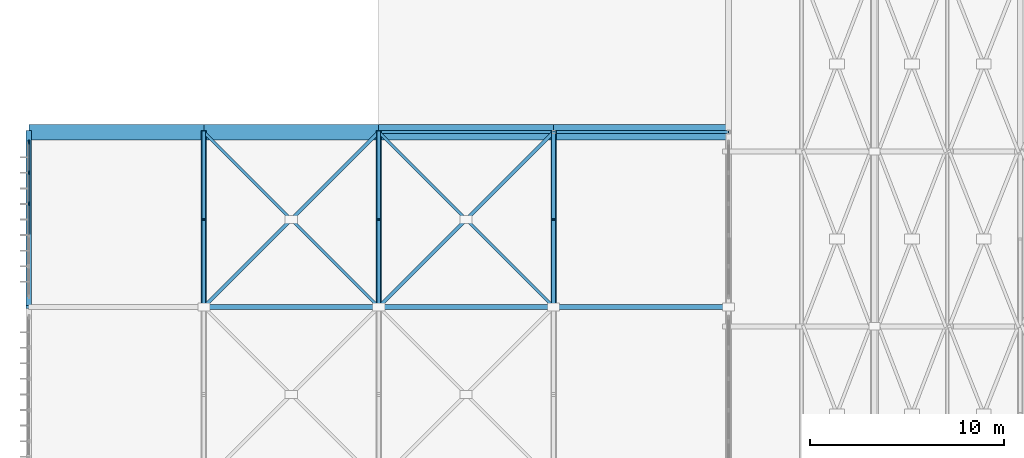
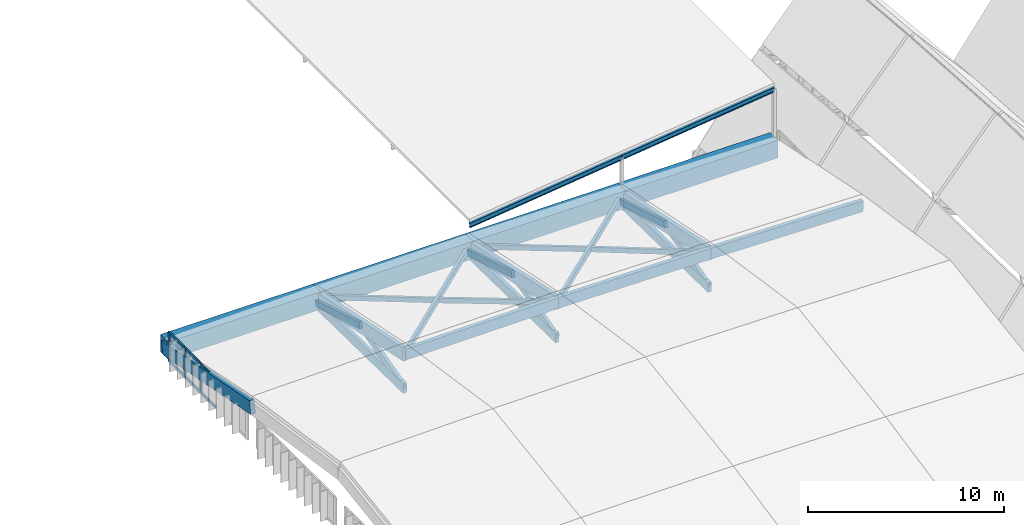
# One storey, part 27 of 93: 24 members, 13 beams, 1 element without a shape of its own.
"""IFC4 building model written with IfcOpenShell, lengths in metres."""

from ifc_helpers import new_model, si_unit, direction, frame, origin, origin_2d, place, context, subcontext, project, spatial, rectangle, i_section, extrude, material, material_profile, profile_set, type_object, element, aggregate, save


model = new_model("IFC4")

# Units and contexts
model_context = context("Model", 3, precision=1e-05, world=origin(), true_north=direction((0.0, 1.0)))
body_context = subcontext(model_context, "Body", "Model", "MODEL_VIEW")
ifc_project = project(units=[si_unit("LENGTHUNIT", "METRE"), si_unit("AREAUNIT", "SQUARE_METRE"), si_unit("VOLUMEUNIT", "CUBIC_METRE"), si_unit("PLANEANGLEUNIT", "RADIAN"), si_unit("MASSUNIT", "GRAM", prefix="KILO")], contexts=[model_context])

# Site, building, storey
site_placement = place(None, origin())
site = spatial("IfcSite", under=ifc_project, at=site_placement, CompositionType="ELEMENT")
building_placement = place(site_placement, origin())
building = spatial("IfcBuilding", under=site, at=building_placement, Name="Vourika Railside Aquatics Centre", CompositionType="ELEMENT")
storey_placement = place(building_placement, frame((0.0, 0.0, 21.89990234375)))
storey = spatial("IfcBuildingStorey", under=building, at=storey_placement, Name="Roof", CompositionType="ELEMENT", Elevation=21.89990234375)

# Beams
ifc_material_1 = material(Name="Glulam GL32h", Category="wood")
ifc_material_profile_1 = material_profile(ifc_material_1, rectangle(XDim=0.239990234375, YDim=0.679931640625, at=origin_2d()), Name="GL32h 240x680")
ifc_profile_set_1 = profile_set([ifc_material_profile_1], Name="Glulam GL32h")
beam_type_1 = type_object("IfcBeamType", Name="BM-GL-DIVE-240x680", PredefinedType="BEAM", material=ifc_profile_set_1)
for number, where, z_axis, x_axis, name in (
    (1, (9.0, 49.0, -3.80322265625), (0.999966887953, 0.0, 0.008137751367), (0.0, 1.0, 0.0), "Diving Shell Transverse Tie Beam DRT-2-49"),
    (2, (18.0, 49.0, -3.72998046875), (0.999966887953, 0.0, -0.008137751367), (0.0, 1.0, 0.0), "Diving Shell Transverse Tie Beam DRT-3-49"),
):
    element("IfcBeam", number, at=place(storey_placement, frame(where, z_axis=z_axis, x_axis=x_axis)), inside=storey, type_object=beam_type_1, Name=name, PredefinedType="BEAM", context=body_context, shape_type="SweptSolid", body=[
        extrude(rectangle(XDim=0.239990234375, YDim=0.679931640625, at=origin_2d()), origin(), (0.0, 0.0, 1.0), 9.000244140625),
    ])
beam_1_placement = place(storey_placement, frame((27.0, 49.0, -3.80322265625), z_axis=(0.999807195748, 0.0, -0.019635970316), x_axis=(0.0, 1.0, 0.0)))
element("IfcBeam", 3, at=beam_1_placement, inside=storey, type_object=beam_type_1, Name="Diving Shell Transverse Tie Beam DRT-4-49", PredefinedType="BEAM", context=body_context, shape_type="SweptSolid", body=[
    extrude(rectangle(XDim=0.239990234375, YDim=0.679931640625, at=origin_2d()), origin(), (0.0, 0.0, 1.0), 9.001708984375),
])
ifc_material_profile_2 = material_profile(ifc_material_1, rectangle(XDim=0.280029296875, YDim=0.800048828125, at=origin_2d()), Name="GL32h 280x800")
ifc_profile_set_2 = profile_set([ifc_material_profile_2], Name="Glulam GL32h")
beam_type_2 = type_object("IfcBeamType", Name="BM-GL-RIDGE-280x800", PredefinedType="BEAM", material=ifc_profile_set_2)
beam_2_placement = place(storey_placement, frame((0.0, 49.0, -3.97998046875), z_axis=(0.0, 0.982224343005, -0.187710788207), x_axis=(-1.0, 0.0, 0.0)))
element("IfcBeam", 4, at=beam_2_placement, inside=storey, type_object=beam_type_2, Name="Diving Roof Truss Arch Rib DAR-0242", PredefinedType="BEAM", context=body_context, shape_type="SweptSolid", body=[
    extrude(rectangle(XDim=0.280029296875, YDim=0.800048828125, at=origin_2d()), origin(), (0.0, 0.0, 1.0), 9.162841796875),
])
beam_3_placement = place(storey_placement, frame((9.0, 49.0, -3.80322265625), z_axis=(0.0, 0.978506110287, -0.206217826899), x_axis=(-1.0, 0.0, 0.0)))
element("IfcBeam", 5, at=beam_3_placement, inside=storey, type_object=beam_type_2, Name="Diving Roof Truss Arch Rib DAR-0246", PredefinedType="BEAM", context=body_context, shape_type="SweptSolid", body=[
    extrude(rectangle(XDim=0.280029296875, YDim=0.800048828125, at=origin_2d()), origin(), (0.0, 0.0, 1.0), 9.19775390625),
])
beam_4_placement = place(storey_placement, frame((18.0, 49.0, -3.72998046875), z_axis=(0.0, 0.976872349118, -0.213823323162), x_axis=(-1.0, 0.0, 0.0)))
element("IfcBeam", 6, at=beam_4_placement, inside=storey, type_object=beam_type_2, Name="Diving Roof Truss Arch Rib DAR-0250", PredefinedType="BEAM", context=body_context, shape_type="SweptSolid", body=[
    extrude(rectangle(XDim=0.280029296875, YDim=0.800048828125, at=origin_2d()), origin(), (0.0, 0.0, 1.0), 9.213134765625),
])
beam_5_placement = place(storey_placement, frame((27.0, 49.0, -3.80322265625), z_axis=(0.0, 0.978506110287, -0.206217826899), x_axis=(-1.0, 0.0, 0.0)))
element("IfcBeam", 7, at=beam_5_placement, inside=storey, type_object=beam_type_2, Name="Diving Roof Truss Arch Rib DAR-0254", PredefinedType="BEAM", context=body_context, shape_type="SweptSolid", body=[
    extrude(rectangle(XDim=0.280029296875, YDim=0.800048828125, at=origin_2d()), origin(), (0.0, 0.0, 1.0), 9.19775390625),
])
ifc_material_2 = material(Name="Concrete C40/50", Category="concrete")
ifc_material_profile_3 = material_profile(ifc_material_2, rectangle(XDim=0.800048828125, YDim=1.10009765625, at=origin_2d()), Name="RC 800x1100")
ifc_profile_set_3 = profile_set([ifc_material_profile_3], Name="Concrete C40/50")
beam_type_3 = type_object("IfcBeamType", Name="BM-RING-800x1100", PredefinedType="BEAM", material=ifc_profile_set_3)
for number, where, z_axis, x_axis, name in (
    (8, (0.0, 58.0, -5.699951171875), (1.0, 0.0, 0.0), (0.0, 1.0, 0.0), "Diving Hall Springing Beam N (0-9)"),
    (9, (9.0, 58.0, -5.699951171875), (1.0, 0.0, 0.0), (0.0, 1.0, 0.0), "Diving Hall Springing Beam N (9-18)"),
    (10, (18.0, 58.0, -5.699951171875), (1.0, 0.0, 0.0), (0.0, 1.0, 0.0), "Diving Hall Springing Beam N (18-27)"),
    (11, (27.0, 58.0, -5.699951171875), (1.0, 0.0, 0.0), (0.0, 1.0, 0.0), "Diving Hall Springing Beam N (27-36)"),
):
    element("IfcBeam", number, at=place(storey_placement, frame(where, z_axis=z_axis, x_axis=x_axis)), inside=storey, type_object=beam_type_3, Name=name, PredefinedType="BEAM", context=body_context, shape_type="SweptSolid", body=[
        extrude(rectangle(XDim=0.800048828125, YDim=1.10009765625, at=origin_2d()), origin(), (0.0, 0.0, 1.0), 9.0),
    ])
ifc_material_3 = material(Name="Steel S355J2", Category="steel")
ifc_material_profile_4 = material_profile(ifc_material_3, i_section(OverallWidth=0.14990234375, OverallDepth=0.300048828125, WebThickness=0.007080078125, FlangeThickness=0.0107421875, at=origin_2d()), Name="IPE 300")
ifc_profile_set_4 = profile_set([ifc_material_profile_4], Name="Steel S355J2")
beam_type_4 = type_object("IfcBeamType", Name="BM-STL-IPE300", PredefinedType="SPANDREL", material=ifc_profile_set_4)
for number, where, z_axis, x_axis, name in (
    (12, (18.0, 58.0, -4.3798828125), (0.992612220818, 0.0, 0.121330041965), (0.0, 1.0, 0.0), "West Link Roof Rafter WLR-18-58"),
    (13, (27.0, 58.0, -3.27978515625), (0.992615463311, 0.0, 0.121303511887), (0.0, 1.0, 0.0), "West Link Roof Rafter WLR-27-58"),
):
    element("IfcBeam", number, at=place(storey_placement, frame(where, z_axis=z_axis, x_axis=x_axis)), inside=storey, type_object=beam_type_4, Name=name, PredefinedType="SPANDREL", context=body_context, shape_type="SweptSolid", body=[
        extrude(i_section(OverallWidth=0.14990234375, OverallDepth=0.300048828125, WebThickness=0.007080078125, FlangeThickness=0.0107421875, at=origin_2d()), origin(), (0.0, 0.0, 1.0), 9.06689453125),
    ])

# Curtain wall, members
ifc_material_4 = material(Name="Anodized thermally broken aluminium", Category="aluminium")
curtain_wall_type = type_object("IfcCurtainWallType", Name="CW-DIVEW", PredefinedType="NOTDEFINED", material=ifc_material_4)
curtain_wall_placement = place(storey_placement, origin())
curtain_wall = element("IfcCurtainWall", 14, at=curtain_wall_placement, inside=storey, type_object=curtain_wall_type, Name="Diving Hall West Clerestory Curtain Wall 4", PredefinedType="NOTDEFINED")
ifc_material_5 = material(Name="Anodized aluminium mullion", Category="aluminium")
ifc_material_profile_5 = material_profile(ifc_material_5, rectangle(XDim=0.077880859375, YDim=0.215087890625, at=origin_2d()), Name="ALU-M 78x215")
ifc_profile_set_5 = profile_set([ifc_material_profile_5], Name="Anodized aluminium mullion")
member_type_1 = type_object("IfcMemberType", Name="CWM-DIVEW", PredefinedType="MULLION", material=ifc_profile_set_5)
member_1_placement = place(storey_placement, frame((0.0, 57.48095703125, -6.2998046875), z_axis=(0.0, 0.0, 1.0), x_axis=(1.0, 0.0, 0.0)))
member_1 = element("IfcMember", 15, at=member_1_placement, type_object=member_type_1, Name="CW05 mullion 1", PredefinedType="MULLION", context=body_context, shape_type="SweptSolid", body=[
    extrude(rectangle(XDim=0.077880859375, YDim=0.215087890625, at=origin_2d()), origin(), (0.0, 0.0, 1.0), 1.849853515625),
])
member_2_placement = place(storey_placement, frame((0.0, 55.912109375, -6.2998046875), z_axis=(0.0, 0.0, 1.0), x_axis=(1.0, 0.0, 0.0)))
member_2 = element("IfcMember", 16, at=member_2_placement, type_object=member_type_1, Name="CW05 mullion 2", PredefinedType="MULLION", context=body_context, shape_type="SweptSolid", body=[
    extrude(rectangle(XDim=0.077880859375, YDim=0.215087890625, at=origin_2d()), origin(), (0.0, 0.0, 1.0), 1.849853515625),
])
member_3_placement = place(storey_placement, frame((0.0, 54.303955078125, -6.2998046875), z_axis=(0.0, 0.0, 1.0), x_axis=(1.0, 0.0, 0.0)))
member_3 = element("IfcMember", 17, at=member_3_placement, type_object=member_type_1, Name="CW05 mullion 3", PredefinedType="MULLION", context=body_context, shape_type="SweptSolid", body=[
    extrude(rectangle(XDim=0.077880859375, YDim=0.215087890625, at=origin_2d()), origin(), (0.0, 0.0, 1.0), 1.849853515625),
])
ifc_material_6 = material(Name="Anodized aluminium transom", Category="aluminium")
ifc_material_profile_6 = material_profile(ifc_material_6, rectangle(XDim=0.077880859375, YDim=0.169921875, at=origin_2d()), Name="ALU-T 78x170")
ifc_profile_set_6 = profile_set([ifc_material_profile_6], Name="Anodized aluminium transom")
member_type_2 = type_object("IfcMemberType", Name="CWT-DIVEW", PredefinedType="USERDEFINED", material=ifc_profile_set_6)
member_4_placement = place(storey_placement, frame((0.0, 57.44189453125, -6.260986328125), z_axis=(0.0, -1.0, 0.0), x_axis=(1.0, 0.0, 0.0)))
member_4 = element("IfcMember", 18, at=member_4_placement, type_object=member_type_2, Name="CW05 transom 1.1", ObjectType="TRANSOM", PredefinedType="USERDEFINED", context=body_context, shape_type="SweptSolid", body=[
    extrude(rectangle(XDim=0.077880859375, YDim=0.169921875, at=origin_2d()), origin(), (0.0, 0.0, 1.0), 1.490966796875),
])
member_5_placement = place(storey_placement, frame((0.0, 57.44189453125, -4.489013671875), z_axis=(0.0, -1.0, 0.0), x_axis=(1.0, 0.0, 0.0)))
member_5 = element("IfcMember", 19, at=member_5_placement, type_object=member_type_2, Name="CW05 transom 1.2", ObjectType="TRANSOM", PredefinedType="USERDEFINED", context=body_context, shape_type="SweptSolid", body=[
    extrude(rectangle(XDim=0.077880859375, YDim=0.169921875, at=origin_2d()), origin(), (0.0, 0.0, 1.0), 1.490966796875),
])
member_6_placement = place(storey_placement, frame((0.0, 55.873046875, -6.260986328125), z_axis=(0.0, -1.0, 0.0), x_axis=(1.0, 0.0, 0.0)))
member_6 = element("IfcMember", 20, at=member_6_placement, type_object=member_type_2, Name="CW05 transom 2.1", ObjectType="TRANSOM", PredefinedType="USERDEFINED", context=body_context, shape_type="SweptSolid", body=[
    extrude(rectangle(XDim=0.077880859375, YDim=0.169921875, at=origin_2d()), origin(), (0.0, 0.0, 1.0), 1.530029296875),
])
member_7_placement = place(storey_placement, frame((0.0, 55.873046875, -4.489013671875), z_axis=(0.0, -1.0, 0.0), x_axis=(1.0, 0.0, 0.0)))
member_7 = element("IfcMember", 21, at=member_7_placement, type_object=member_type_2, Name="CW05 transom 2.2", ObjectType="TRANSOM", PredefinedType="USERDEFINED", context=body_context, shape_type="SweptSolid", body=[
    extrude(rectangle(XDim=0.077880859375, YDim=0.169921875, at=origin_2d()), origin(), (0.0, 0.0, 1.0), 1.530029296875),
])
member_8_placement = place(storey_placement, frame((0.0, 54.264892578125, -6.260986328125), z_axis=(0.0, -1.0, 0.0), x_axis=(1.0, 0.0, 0.0)))
member_8 = element("IfcMember", 22, at=member_8_placement, type_object=member_type_2, Name="CW05 transom 3.1", ObjectType="TRANSOM", PredefinedType="USERDEFINED", context=body_context, shape_type="SweptSolid", body=[
    extrude(rectangle(XDim=0.077880859375, YDim=0.169921875, at=origin_2d()), origin(), (0.0, 0.0, 1.0), 1.52978515625),
])
member_9_placement = place(storey_placement, frame((0.0, 54.264892578125, -4.489013671875), z_axis=(0.0, -1.0, 0.0), x_axis=(1.0, 0.0, 0.0)))
member_9 = element("IfcMember", 23, at=member_9_placement, type_object=member_type_2, Name="CW05 transom 3.2", ObjectType="TRANSOM", PredefinedType="USERDEFINED", context=body_context, shape_type="SweptSolid", body=[
    extrude(rectangle(XDim=0.077880859375, YDim=0.169921875, at=origin_2d()), origin(), (0.0, 0.0, 1.0), 1.52978515625),
])
aggregate(curtain_wall, [member_1, member_2, member_3, member_4, member_5, member_6, member_7, member_8, member_9])

# Members
ifc_material_profile_7 = material_profile(ifc_material_1, rectangle(XDim=0.219970703125, YDim=0.60009765625, at=origin_2d()), Name="GL32h 220x600")
ifc_profile_set_7 = profile_set([ifc_material_profile_7], Name="Glulam GL32h")
member_type_3 = type_object("IfcMemberType", Name="MEM-GL-CHORD", PredefinedType="CHORD", material=ifc_profile_set_7)
for number, where, z_axis, x_axis, name in (
    (24, (9.0, 49.0, -5.949951171875), (0.0, 0.99986132075, -0.016653506156), (-1.0, 0.0, 0.0), "Diving Roof Truss Bottom Chord DBC-0246"),
    (25, (18.0, 49.0, -5.949951171875), (0.0, 0.99986132075, -0.016653506156), (-1.0, 0.0, 0.0), "Diving Roof Truss Bottom Chord DBC-0250"),
    (26, (27.0, 49.0, -5.949951171875), (0.0, 0.99986132075, -0.016653506156), (-1.0, 0.0, 0.0), "Diving Roof Truss Bottom Chord DBC-0254"),
):
    element("IfcMember", number, at=place(storey_placement, frame(where, z_axis=z_axis, x_axis=x_axis)), inside=storey, type_object=member_type_3, Name=name, PredefinedType="CHORD", context=body_context, shape_type="SweptSolid", body=[
        extrude(rectangle(XDim=0.219970703125, YDim=0.60009765625, at=origin_2d()), origin(), (0.0, 0.0, 1.0), 9.001220703125),
    ])
ifc_material_7 = material(Name="Glulam GL28h", Category="wood")
ifc_material_profile_8 = material_profile(ifc_material_7, rectangle(XDim=0.179931640625, YDim=0.360107421875, at=origin_2d()), Name="GL28h 180x360")
ifc_profile_set_8 = profile_set([ifc_material_profile_8], Name="Glulam GL28h")
member_type_4 = type_object("IfcMemberType", Name="MEM-GL-LATH1", PredefinedType="BRACE", material=ifc_profile_set_8)
member_10_placement = place(storey_placement, frame((9.0, 49.0, -3.80322265625), z_axis=(0.699383718411, 0.699383718411, -0.147393449119), x_axis=(-0.707106781187, 0.707106781187, 0.0)))
element("IfcMember", 27, at=member_10_placement, inside=storey, type_object=member_type_4, Name="Diving Roof Continuous Diagonal Lath DGLA-0419", PredefinedType="BRACE", context=body_context, shape_type="SweptSolid", body=[
    extrude(rectangle(XDim=0.179931640625, YDim=0.360107421875, at=origin_2d()), origin(), (0.0, 0.0, 1.0), 12.868408203125),
])
member_11_placement = place(storey_placement, frame((18.0, 49.0, -3.72998046875), z_axis=(0.698786440266, 0.698786440266, -0.152954312785), x_axis=(-0.707106781187, 0.707106781187, 0.0)))
element("IfcMember", 28, at=member_11_placement, inside=storey, type_object=member_type_4, Name="Diving Roof Continuous Diagonal Lath DGLA-0427", PredefinedType="BRACE", context=body_context, shape_type="SweptSolid", body=[
    extrude(rectangle(XDim=0.179931640625, YDim=0.360107421875, at=origin_2d()), origin(), (0.0, 0.0, 1.0), 12.87939453125),
])
ifc_material_profile_9 = material_profile(ifc_material_7, rectangle(XDim=0.14990234375, YDim=0.300048828125, at=origin_2d()), Name="GL28h 150x300")
ifc_profile_set_9 = profile_set([ifc_material_profile_9], Name="Glulam GL28h")
member_type_5 = type_object("IfcMemberType", Name="MEM-GL-LATH3", PredefinedType="BRACE", material=ifc_profile_set_9)
member_12_placement = place(storey_placement, frame((18.0, 49.0, -3.72998046875), z_axis=(-0.698170246218, 0.698170246218, -0.158482221689), x_axis=(-0.707106781187, -0.707106781187, 0.0)))
element("IfcMember", 29, at=member_12_placement, inside=storey, type_object=member_type_5, Name="Diving Roof Split Counter Lath DGLB1-0420", PredefinedType="BRACE", context=body_context, shape_type="SweptSolid", body=[
    extrude(rectangle(XDim=0.14990234375, YDim=0.300048828125, at=origin_2d()), origin(), (0.0, 0.0, 1.0), 6.4453125),
])
member_13_placement = place(storey_placement, frame((13.5, 53.5, -4.75146484375), z_axis=(-0.699381762573, 0.699381762573, -0.147412008876), x_axis=(-0.707106781187, -0.707106781187, 0.0)))
element("IfcMember", 30, at=member_13_placement, inside=storey, type_object=member_type_5, Name="Diving Roof Split Counter Lath DGLB2-0420", PredefinedType="BRACE", context=body_context, shape_type="SweptSolid", body=[
    extrude(rectangle(XDim=0.14990234375, YDim=0.300048828125, at=origin_2d()), origin(), (0.0, 0.0, 1.0), 6.434326171875),
])
member_14_placement = place(storey_placement, frame((27.0, 49.0, -3.80322265625), z_axis=(-0.69996170227, 0.69996170227, -0.141799967246), x_axis=(-0.707106781187, -0.707106781187, 0.0)))
element("IfcMember", 31, at=member_14_placement, inside=storey, type_object=member_type_5, Name="Diving Roof Split Counter Lath DGLB1-0428", PredefinedType="BRACE", context=body_context, shape_type="SweptSolid", body=[
    extrude(rectangle(XDim=0.14990234375, YDim=0.300048828125, at=origin_2d()), origin(), (0.0, 0.0, 1.0), 6.428955078125),
])
member_15_placement = place(storey_placement, frame((22.5, 53.5, -4.71484375), z_axis=(-0.698784414109, 0.698784414109, -0.152972825029), x_axis=(-0.707106781187, -0.707106781187, 0.0)))
element("IfcMember", 32, at=member_15_placement, inside=storey, type_object=member_type_5, Name="Diving Roof Split Counter Lath DGLB2-0428", PredefinedType="BRACE", context=body_context, shape_type="SweptSolid", body=[
    extrude(rectangle(XDim=0.14990234375, YDim=0.300048828125, at=origin_2d()), origin(), (0.0, 0.0, 1.0), 6.439697265625),
])
ifc_material_profile_10 = material_profile(ifc_material_7, rectangle(XDim=0.199951171875, YDim=0.39990234375, at=origin_2d()), Name="GL28h 200x400")
ifc_profile_set_10 = profile_set([ifc_material_profile_10], Name="Glulam GL28h")
member_type_6 = type_object("IfcMemberType", Name="MEM-GL-STRUT1", PredefinedType="STRUT", material=ifc_profile_set_10)
member_16_placement = place(storey_placement, frame((9.0, 49.0, -5.949951171875), z_axis=(0.0, 0.96631581505, 0.25735917622), x_axis=(-1.0, 0.0, 0.0)))
element("IfcMember", 33, at=member_16_placement, inside=storey, type_object=member_type_6, Name="Diving Roof Warren Web Strut A DWA-0246", PredefinedType="STRUT", context=body_context, shape_type="SweptSolid", body=[
    extrude(rectangle(XDim=0.199951171875, YDim=0.39990234375, at=origin_2d()), origin(), (0.0, 0.0, 1.0), 4.656982421875),
])
member_17_placement = place(storey_placement, frame((9.0, 53.5, -4.75146484375), z_axis=(0.0, 0.957920638694, -0.287033186171), x_axis=(-1.0, 0.0, 0.0)))
element("IfcMember", 34, at=member_17_placement, inside=storey, type_object=member_type_6, Name="Diving Roof Warren Web Strut B DWB-0246", PredefinedType="STRUT", context=body_context, shape_type="SweptSolid", body=[
    extrude(rectangle(XDim=0.199951171875, YDim=0.39990234375, at=origin_2d()), origin(), (0.0, 0.0, 1.0), 4.69775390625),
])
member_18_placement = place(storey_placement, frame((18.0, 49.0, -5.949951171875), z_axis=(0.0, 0.964336360268, 0.264679776834), x_axis=(-1.0, 0.0, 0.0)))
element("IfcMember", 35, at=member_18_placement, inside=storey, type_object=member_type_6, Name="Diving Roof Warren Web Strut A DWA-0250", PredefinedType="STRUT", context=body_context, shape_type="SweptSolid", body=[
    extrude(rectangle(XDim=0.199951171875, YDim=0.39990234375, at=origin_2d()), origin(), (0.0, 0.0, 1.0), 4.66650390625),
])
member_19_placement = place(storey_placement, frame((18.0, 53.5, -4.71484375), z_axis=(0.0, 0.95575546157, -0.294162366183), x_axis=(-1.0, 0.0, 0.0)))
element("IfcMember", 36, at=member_19_placement, inside=storey, type_object=member_type_6, Name="Diving Roof Warren Web Strut B DWB-0250", PredefinedType="STRUT", context=body_context, shape_type="SweptSolid", body=[
    extrude(rectangle(XDim=0.199951171875, YDim=0.39990234375, at=origin_2d()), origin(), (0.0, 0.0, 1.0), 4.708251953125),
])
member_20_placement = place(storey_placement, frame((27.0, 49.0, -5.949951171875), z_axis=(0.0, 0.96631581505, 0.25735917622), x_axis=(-1.0, 0.0, 0.0)))
element("IfcMember", 37, at=member_20_placement, inside=storey, type_object=member_type_6, Name="Diving Roof Warren Web Strut A DWA-0254", PredefinedType="STRUT", context=body_context, shape_type="SweptSolid", body=[
    extrude(rectangle(XDim=0.199951171875, YDim=0.39990234375, at=origin_2d()), origin(), (0.0, 0.0, 1.0), 4.656982421875),
])
member_21_placement = place(storey_placement, frame((27.0, 53.5, -4.75146484375), z_axis=(0.0, 0.957920638694, -0.287033186171), x_axis=(-1.0, 0.0, 0.0)))
element("IfcMember", 38, at=member_21_placement, inside=storey, type_object=member_type_6, Name="Diving Roof Warren Web Strut B DWB-0254", PredefinedType="STRUT", context=body_context, shape_type="SweptSolid", body=[
    extrude(rectangle(XDim=0.199951171875, YDim=0.39990234375, at=origin_2d()), origin(), (0.0, 0.0, 1.0), 4.69775390625),
])

save(model, "model.ifc")
